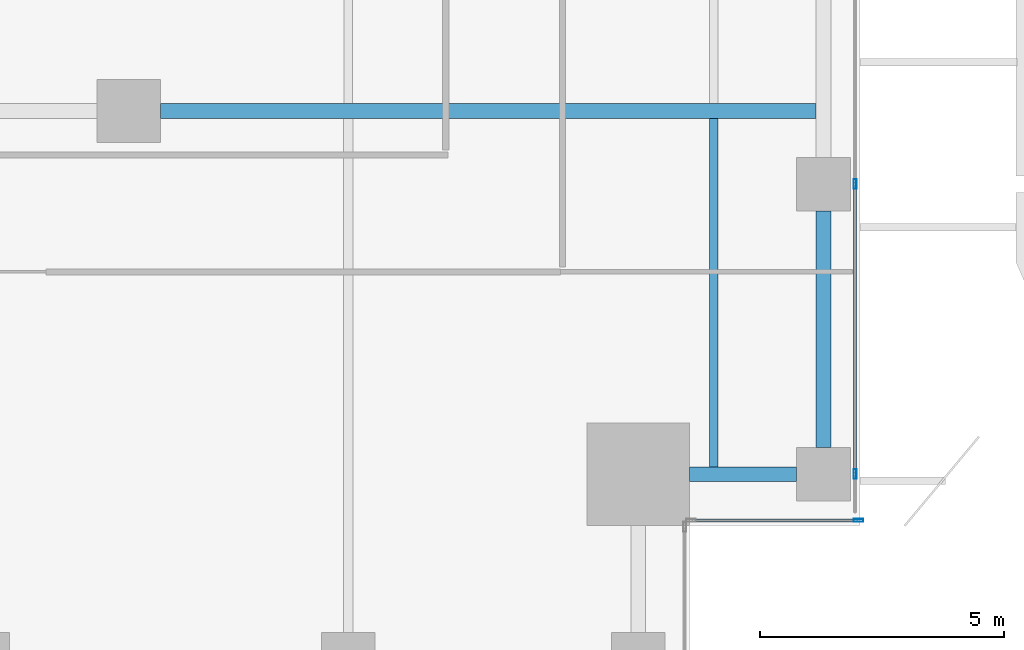
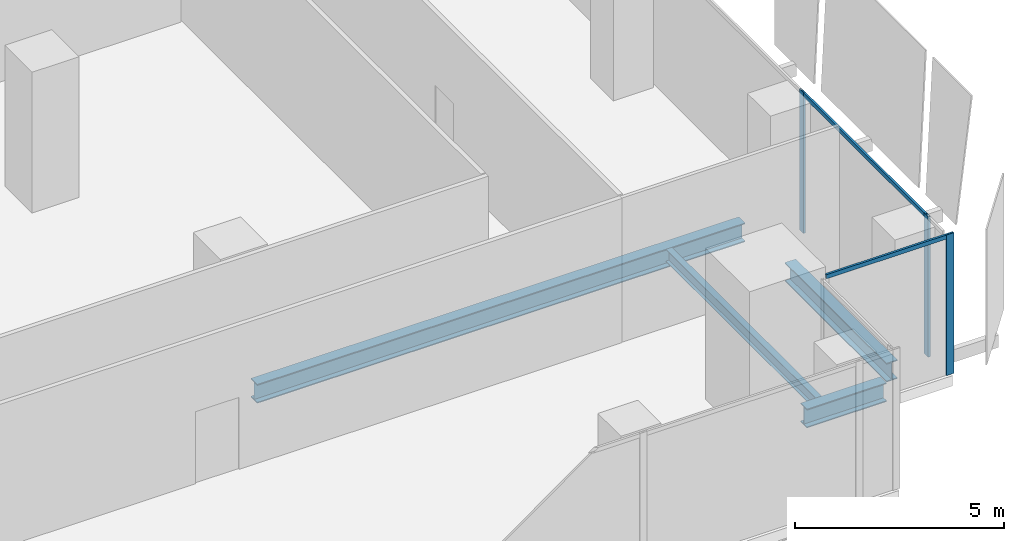
# One storey, part 11 of 33: 5 members, 4 beams, 2 elements without a shape of their own.
"""IFC4 building model written with IfcOpenShell, lengths in metres."""

from ifc_helpers import new_model, si_unit, direction, frame, origin, origin_2d, place, context, subcontext, project, spatial, hollow_rectangle, i_section, extrude, source, transform, mapped, material, material_profile, profile_set, type_object, element, aggregate, save


model = new_model("IFC4")

# Units and contexts
model_context = context("Model", 3, precision=1e-05, world=origin(), true_north=direction((0.0, 1.0)))
body_context = subcontext(model_context, "Body", "Model", "MODEL_VIEW")
ifc_project = project(units=[si_unit("LENGTHUNIT", "METRE"), si_unit("AREAUNIT", "SQUARE_METRE"), si_unit("VOLUMEUNIT", "CUBIC_METRE"), si_unit("PLANEANGLEUNIT", "RADIAN"), si_unit("MASSUNIT", "GRAM", prefix="KILO")], contexts=[model_context])

# Site, building, storey
site_placement = place(None, origin())
site = spatial("IfcSite", under=ifc_project, at=site_placement, CompositionType="ELEMENT")
building_placement = place(site_placement, origin())
building = spatial("IfcBuilding", under=site, at=building_placement, Name="Khomas Fold Tower", CompositionType="ELEMENT")
storey_placement = place(building_placement, frame((0.0, 0.0, 149.89990234375)))
storey = spatial("IfcBuildingStorey", under=building, at=storey_placement, Name="L32", CompositionType="ELEMENT", Elevation=149.89990234375)

# Beams
ifc_material_1 = material(Name="Steel S355", Category="steel")
ifc_material_profile_1 = material_profile(ifc_material_1, i_section(OverallWidth=0.169921875, OverallDepth=0.360107421875, WebThickness=0.008056640625, FlangeThickness=0.0126953125, at=origin_2d()), Name="IPE 360")
ifc_profile_set_1 = profile_set([ifc_material_profile_1], Name="Steel S355")
beam_type_1 = type_object("IfcBeamType", Name="IPE 360 beam JB2", PredefinedType="BEAM", material=ifc_profile_set_1)
shared_shape_1 = source(origin(), body_context, "Body", "SweptSolid", [
    extrude(i_section(OverallWidth=0.169921875, OverallDepth=0.360107421875, WebThickness=0.008056640625, FlangeThickness=0.0126953125, at=origin_2d()), origin(), (0.0, 0.0, 1.0), 7.150146484375),
])
beam_1_placement = place(storey_placement, frame((49.5, 6.199951171875, -0.47998046875), z_axis=(0.0, 1.0, 0.0), x_axis=(-1.0, 0.0, 0.0)))
element("IfcBeam", 1, at=beam_1_placement, inside=storey, type_object=beam_type_1, Name="JB2", PredefinedType="BEAM", context=body_context, shape_type="MappedRepresentation", body=[
    mapped(shared_shape_1, transform((0.0, 0.0, 0.0))),
])
ifc_material_2 = material(Name="Steel S355", Category="steel")
ifc_material_profile_2 = material_profile(ifc_material_2, i_section(OverallWidth=0.300048828125, OverallDepth=0.550048828125, WebThickness=0.014892578125, FlangeThickness=0.029052734375, at=origin_2d()), Name="HE 550 B")
ifc_profile_set_2 = profile_set([ifc_material_profile_2], Name="Steel S355")
beam_type_2 = type_object("IfcBeamType", Name="HE 550 B spandrel SB2", PredefinedType="SPANDREL", material=ifc_profile_set_2)
shared_shape_2 = source(origin(), body_context, "Body", "SweptSolid", [
    extrude(i_section(OverallWidth=0.300048828125, OverallDepth=0.550048828125, WebThickness=0.014892578125, FlangeThickness=0.029052734375, at=origin_2d()), origin(), (0.0, 0.0, 1.0), 4.849853515625),
])
beam_2_placement = place(storey_placement, frame((51.75, 6.60009765625, -0.574951171875), z_axis=(0.0, 1.0, 0.0), x_axis=(-1.0, 0.0, 0.0)))
element("IfcBeam", 2, at=beam_2_placement, inside=storey, type_object=beam_type_2, Name="SB2", PredefinedType="SPANDREL", context=body_context, shape_type="MappedRepresentation", body=[
    mapped(shared_shape_2, transform((0.0, 0.0, 0.0))),
])
shared_shape_3 = source(origin(), body_context, "Body", "SweptSolid", [
    extrude(i_section(OverallWidth=0.300048828125, OverallDepth=0.550048828125, WebThickness=0.014892578125, FlangeThickness=0.029052734375, at=origin_2d()), origin(), (0.0, 0.0, 1.0), 2.199951171875),
])
beam_3_placement = place(storey_placement, frame((49.0, 6.050048828125, -0.574951171875), z_axis=(1.0, 0.0, 0.0), x_axis=(0.0, 1.0, 0.0)))
element("IfcBeam", 3, at=beam_3_placement, inside=storey, type_object=beam_type_2, Name="SB2", PredefinedType="SPANDREL", context=body_context, shape_type="MappedRepresentation", body=[
    mapped(shared_shape_3, transform((0.0, 0.0, 0.0))),
])
ifc_material_3 = material(Name="Steel S355", Category="steel")
ifc_material_profile_3 = material_profile(ifc_material_3, i_section(OverallWidth=0.300048828125, OverallDepth=0.550048828125, WebThickness=0.014892578125, FlangeThickness=0.029052734375, at=origin_2d()), Name="HE 550 B")
ifc_profile_set_3 = profile_set([ifc_material_profile_3], Name="Steel S355")
beam_type_3 = type_object("IfcBeamType", Name="HE 550 B beam GB4", PredefinedType="BEAM", material=ifc_profile_set_3)
shared_shape_4 = source(origin(), body_context, "Body", "SweptSolid", [
    extrude(i_section(OverallWidth=0.300048828125, OverallDepth=0.550048828125, WebThickness=0.014892578125, FlangeThickness=0.029052734375, at=origin_2d()), origin(), (0.0, 0.0, 1.0), 13.4501953125),
])
beam_4_placement = place(storey_placement, frame((38.14990234375, 13.5, -0.574951171875), z_axis=(1.0, 0.0, 0.0), x_axis=(0.0, 1.0, 0.0)))
element("IfcBeam", 4, at=beam_4_placement, inside=storey, type_object=beam_type_3, Name="GB4", PredefinedType="BEAM", context=body_context, shape_type="MappedRepresentation", body=[
    mapped(shared_shape_4, transform((0.0, 0.0, 0.0))),
])

# Curtain wall, member
ifc_material_4 = material(Name="Aluminium framed double glazing", Category="aluminium")
curtain_wall_type = type_object("IfcCurtainWallType", Name="SK-Unitised clear-glass wall, growing floors CW1", PredefinedType="NOTDEFINED", material=ifc_material_4)
curtain_wall_1_placement = place(storey_placement, origin())
curtain_wall_1 = element("IfcCurtainWall", 5, at=curtain_wall_1_placement, inside=storey, type_object=curtain_wall_type, Name="CW1 corner return L32 02", PredefinedType="NOTDEFINED")
ifc_material_5 = material(Name="Aluminium", Category="aluminium")
ifc_material_profile_4 = material_profile(ifc_material_5, hollow_rectangle(XDim=0.06005859375, YDim=0.199951171875, WallThickness=0.00390625, at=origin_2d()), Name="SK-Unitised clear-glass wall, growing floors mullion CW1-M")
ifc_profile_set_4 = profile_set([ifc_material_profile_4], Name="Aluminium")
member_type_1 = type_object("IfcMemberType", Name="SK-Unitised clear-glass wall, growing floors mullion CW1-M", PredefinedType="MULLION", material=ifc_profile_set_4)
shared_shape_5 = source(origin(), body_context, "Body", "SweptSolid", [
    extrude(hollow_rectangle(XDim=0.06005859375, YDim=0.199951171875, WallThickness=0.00390625, at=origin_2d()), origin(), (0.0, 0.0, 1.0), 4.10009765625),
])
member_1_placement = place(storey_placement, frame((52.469970703125, 5.10009765625, 0.0), z_axis=(0.0, 0.0, 1.0), x_axis=(0.0, 1.0, 0.0)))
member_1 = element("IfcMember", 6, at=member_1_placement, type_object=member_type_1, Name="CW1 mullion 2", PredefinedType="MULLION", context=body_context, shape_type="MappedRepresentation", body=[
    mapped(shared_shape_5, transform((0.0, 0.0, 0.0))),
])

# Curtain wall, members
curtain_wall_2_placement = place(storey_placement, origin())
curtain_wall_2 = element("IfcCurtainWall", 7, at=curtain_wall_2_placement, inside=storey, type_object=curtain_wall_type, Name="CW1 run L32 03-0", PredefinedType="NOTDEFINED")
member_2_placement = place(storey_placement, frame((52.39990234375, 6.050048828125, 0.0), z_axis=(0.0, 0.0, 1.0), x_axis=(-1.0, 0.0, 0.0)))
member_2 = element("IfcMember", 8, at=member_2_placement, type_object=member_type_1, Name="CW1 mullion 2", PredefinedType="MULLION", context=body_context, shape_type="MappedRepresentation", body=[
    mapped(shared_shape_5, transform((0.0, 0.0, 0.0))),
])
member_3_placement = place(storey_placement, frame((52.39990234375, 12.0, 0.0), z_axis=(0.0, 0.0, 1.0), x_axis=(-1.0, 0.0, 0.0)))
member_3 = element("IfcMember", 9, at=member_3_placement, type_object=member_type_1, Name="CW1 mullion 3", PredefinedType="MULLION", context=body_context, shape_type="MappedRepresentation", body=[
    mapped(shared_shape_5, transform((0.0, 0.0, 0.0))),
])
ifc_material_6 = material(Name="Aluminium", Category="aluminium")
ifc_material_profile_5 = material_profile(ifc_material_6, hollow_rectangle(XDim=0.06005859375, YDim=0.1201171875, WallThickness=0.00390625, at=origin_2d()), Name="SK-Unitised clear-glass wall, growing floors transom CW1-T")
ifc_profile_set_5 = profile_set([ifc_material_profile_5], Name="Aluminium")
member_type_2 = type_object("IfcMemberType", Name="SK-Unitised clear-glass wall, growing floors transom CW1-T", PredefinedType="USERDEFINED", material=ifc_profile_set_5)
shared_shape_6 = source(origin(), body_context, "Body", "SweptSolid", [
    extrude(hollow_rectangle(XDim=0.06005859375, YDim=0.1201171875, WallThickness=0.00390625, at=origin_2d()), origin(), (0.0, 0.0, 1.0), 5.889892578125),
])
member_4_placement = place(storey_placement, frame((52.39990234375, 6.080078125, 4.0400390625), z_axis=(0.0, 1.0, 0.0), x_axis=(-1.0, 0.0, 0.0)))
member_4 = element("IfcMember", 10, at=member_4_placement, type_object=member_type_2, Name="CW1 transom 2", ObjectType="TRANSOM", PredefinedType="USERDEFINED", context=body_context, shape_type="MappedRepresentation", body=[
    mapped(shared_shape_6, transform((0.0, 0.0, 0.0))),
])
aggregate(curtain_wall_2, [member_2, member_3, member_4])

# Member
shared_shape_7 = source(origin(), body_context, "Body", "SweptSolid", [
    extrude(hollow_rectangle(XDim=0.06005859375, YDim=0.1201171875, WallThickness=0.00390625, at=origin_2d()), origin(), (0.0, 0.0, 1.0), 3.3798828125),
])
member_5_placement = place(storey_placement, frame((49.06005859375, 5.10009765625, 4.0400390625), z_axis=(1.0, 0.0, 0.0), x_axis=(0.0, 1.0, 0.0)))
member_5 = element("IfcMember", 11, at=member_5_placement, type_object=member_type_2, Name="CW1 transom 1", ObjectType="TRANSOM", PredefinedType="USERDEFINED", context=body_context, shape_type="MappedRepresentation", body=[
    mapped(shared_shape_7, transform((0.0, 0.0, 0.0))),
])

aggregate(curtain_wall_1, [member_1, member_5])

save(model, "model.ifc")
